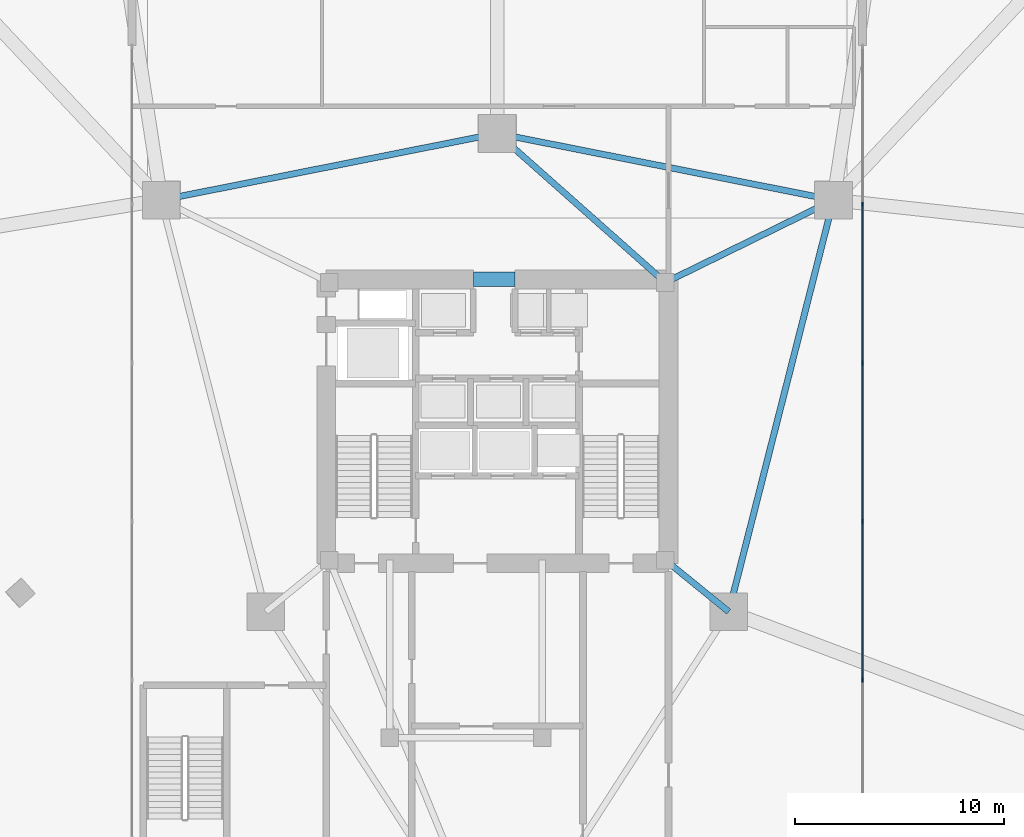
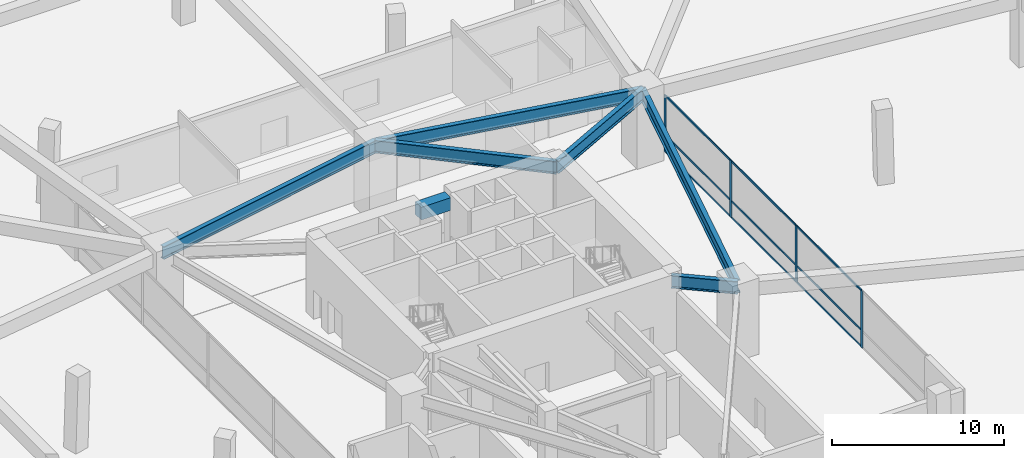
# One storey, part 7 of 19: 13 members, 7 beams, 1 element without a shape of its own.
"""IFC4 building model written with IfcOpenShell, lengths in metres."""

from ifc_helpers import new_model, si_unit, direction, frame, origin, origin_2d, place, context, subcontext, project, spatial, rectangle, i_section, extrude, material, layer, layer_set, material_profile, profile_set, type_object, element, aggregate, save


model = new_model("IFC4")

# Units and contexts
model_context = context("Model", 3, precision=1e-05, world=origin(), true_north=direction((0.0, 1.0)))
body_context = subcontext(model_context, "Body", "Model", "MODEL_VIEW")
ifc_project = project(units=[si_unit("LENGTHUNIT", "METRE"), si_unit("AREAUNIT", "SQUARE_METRE"), si_unit("VOLUMEUNIT", "CUBIC_METRE"), si_unit("PLANEANGLEUNIT", "RADIAN"), si_unit("MASSUNIT", "GRAM", prefix="KILO")], contexts=[model_context])

# Site, building, storey
site_placement = place(None, origin())
site = spatial("IfcSite", under=ifc_project, at=site_placement, CompositionType="ELEMENT")
building_placement = place(site_placement, origin())
building = spatial("IfcBuilding", under=site, at=building_placement, Name="Talyreon Biosciences Tower", CompositionType="ELEMENT")
storey_placement = place(building_placement, origin())
storey = spatial("IfcBuildingStorey", under=building, at=storey_placement, Name="L00", CompositionType="ELEMENT", Elevation=0.0)

# Curtain wall, members
ifc_material_1 = material(Name="Thermally broken aluminium and low-E glazing", Category="aluminium")
ifc_layer = layer(ifc_material_1, 0.219970703125)
ifc_layer_set = layer_set([ifc_layer], Name="Thermally broken aluminium and low-E glazing")
curtain_wall_type = type_object("IfcCurtainWallType", Name="CurtainWall_PodiumDoubleHeight", PredefinedType="NOTDEFINED", material=ifc_layer_set)
curtain_wall_placement = place(storey_placement, origin())
curtain_wall = element("IfcCurtainWall", 1, at=curtain_wall_placement, inside=storey, type_object=curtain_wall_type, Name="L00 Unitised Curtain Wall FCW-L00-E", PredefinedType="NOTDEFINED")
ifc_material_2 = material(Name="Anodised thermally broken aluminium", Category="aluminium")
ifc_material_profile_1 = material_profile(ifc_material_2, rectangle(XDim=0.074951171875, YDim=0.2099609375, at=origin_2d()), Name="ALUM MULLION 75x210")
ifc_profile_set_1 = profile_set([ifc_material_profile_1], Name="Anodised thermally broken aluminium")
member_type_1 = type_object("IfcMemberType", Name="CWMullion_75x210", PredefinedType="MULLION", material=ifc_profile_set_1)
member_1_placement = place(storey_placement, frame((83.5, 78.39990234375, 0.0), z_axis=(0.0, 0.0, 1.0), x_axis=(1.0, 0.0, 0.0)))
member_1 = element("IfcMember", 2, at=member_1_placement, type_object=member_type_1, Name="CW1 mullion 2", PredefinedType="MULLION", context=body_context, shape_type="SweptSolid", body=[
    extrude(rectangle(XDim=0.074951171875, YDim=0.2099609375, at=origin_2d()), origin(), (0.0, 0.0, 1.0), 4.030029296875),
])
member_2_placement = place(storey_placement, frame((83.5, 70.800048828125, 0.0), z_axis=(0.0, 0.0, 1.0), x_axis=(1.0, 0.0, 0.0)))
member_2 = element("IfcMember", 3, at=member_2_placement, type_object=member_type_1, Name="CW1 mullion 3", PredefinedType="MULLION", context=body_context, shape_type="SweptSolid", body=[
    extrude(rectangle(XDim=0.074951171875, YDim=0.2099609375, at=origin_2d()), origin(), (0.0, 0.0, 1.0), 4.030029296875),
])
member_3_placement = place(storey_placement, frame((83.5, 63.199951171875, 0.0), z_axis=(0.0, 0.0, 1.0), x_axis=(1.0, 0.0, 0.0)))
member_3 = element("IfcMember", 4, at=member_3_placement, type_object=member_type_1, Name="CW1 mullion 4", PredefinedType="MULLION", context=body_context, shape_type="SweptSolid", body=[
    extrude(rectangle(XDim=0.074951171875, YDim=0.2099609375, at=origin_2d()), origin(), (0.0, 0.0, 1.0), 4.030029296875),
])
member_4_placement = place(storey_placement, frame((83.5, 55.60009765625, 0.0), z_axis=(0.0, 0.0, 1.0), x_axis=(1.0, 0.0, 0.0)))
member_4 = element("IfcMember", 5, at=member_4_placement, type_object=member_type_1, Name="CW1 mullion 5", PredefinedType="MULLION", context=body_context, shape_type="SweptSolid", body=[
    extrude(rectangle(XDim=0.074951171875, YDim=0.2099609375, at=origin_2d()), origin(), (0.0, 0.0, 1.0), 4.030029296875),
])
ifc_material_profile_2 = material_profile(ifc_material_2, rectangle(XDim=0.06494140625, YDim=0.139892578125, at=origin_2d()), Name="ALUM TRANSOM 65x140")
ifc_profile_set_2 = profile_set([ifc_material_profile_2], Name="Anodised thermally broken aluminium")
member_type_2 = type_object("IfcMemberType", Name="CWTransom_65x140", PredefinedType="USERDEFINED", material=ifc_profile_set_2)
member_5_placement = place(storey_placement, frame((83.5, 78.362548828125, 0.032470703125), z_axis=(0.0, -1.0, 0.0), x_axis=(1.0, 0.0, 0.0)))
member_5 = element("IfcMember", 6, at=member_5_placement, type_object=member_type_2, Name="CW1 transom 2.1", ObjectType="TRANSOM", PredefinedType="USERDEFINED", context=body_context, shape_type="SweptSolid", body=[
    extrude(rectangle(XDim=0.06494140625, YDim=0.139892578125, at=origin_2d()), origin(), (0.0, 0.0, 1.0), 7.525146484375),
])
member_6_placement = place(storey_placement, frame((83.5, 78.362548828125, 1.199951171875), z_axis=(0.0, -1.0, 0.0), x_axis=(1.0, 0.0, 0.0)))
member_6 = element("IfcMember", 7, at=member_6_placement, type_object=member_type_2, Name="CW1 transom 2.2", ObjectType="TRANSOM", PredefinedType="USERDEFINED", context=body_context, shape_type="SweptSolid", body=[
    extrude(rectangle(XDim=0.06494140625, YDim=0.139892578125, at=origin_2d()), origin(), (0.0, 0.0, 1.0), 7.525146484375),
])
member_7_placement = place(storey_placement, frame((83.5, 78.362548828125, 3.99755859375), z_axis=(0.0, -1.0, 0.0), x_axis=(1.0, 0.0, 0.0)))
member_7 = element("IfcMember", 8, at=member_7_placement, type_object=member_type_2, Name="CW1 transom 2.3", ObjectType="TRANSOM", PredefinedType="USERDEFINED", context=body_context, shape_type="SweptSolid", body=[
    extrude(rectangle(XDim=0.06494140625, YDim=0.139892578125, at=origin_2d()), origin(), (0.0, 0.0, 1.0), 7.525146484375),
])
member_8_placement = place(storey_placement, frame((83.5, 70.762451171875, 0.032470703125), z_axis=(0.0, -1.0, 0.0), x_axis=(1.0, 0.0, 0.0)))
member_8 = element("IfcMember", 9, at=member_8_placement, type_object=member_type_2, Name="CW1 transom 3.1", ObjectType="TRANSOM", PredefinedType="USERDEFINED", context=body_context, shape_type="SweptSolid", body=[
    extrude(rectangle(XDim=0.06494140625, YDim=0.139892578125, at=origin_2d()), origin(), (0.0, 0.0, 1.0), 7.52490234375),
])
member_9_placement = place(storey_placement, frame((83.5, 70.762451171875, 1.199951171875), z_axis=(0.0, -1.0, 0.0), x_axis=(1.0, 0.0, 0.0)))
member_9 = element("IfcMember", 10, at=member_9_placement, type_object=member_type_2, Name="CW1 transom 3.2", ObjectType="TRANSOM", PredefinedType="USERDEFINED", context=body_context, shape_type="SweptSolid", body=[
    extrude(rectangle(XDim=0.06494140625, YDim=0.139892578125, at=origin_2d()), origin(), (0.0, 0.0, 1.0), 7.52490234375),
])
member_10_placement = place(storey_placement, frame((83.5, 70.762451171875, 3.99755859375), z_axis=(0.0, -1.0, 0.0), x_axis=(1.0, 0.0, 0.0)))
member_10 = element("IfcMember", 11, at=member_10_placement, type_object=member_type_2, Name="CW1 transom 3.3", ObjectType="TRANSOM", PredefinedType="USERDEFINED", context=body_context, shape_type="SweptSolid", body=[
    extrude(rectangle(XDim=0.06494140625, YDim=0.139892578125, at=origin_2d()), origin(), (0.0, 0.0, 1.0), 7.52490234375),
])
member_11_placement = place(storey_placement, frame((83.5, 63.16259765625, 0.032470703125), z_axis=(0.0, -1.0, 0.0), x_axis=(1.0, 0.0, 0.0)))
member_11 = element("IfcMember", 12, at=member_11_placement, type_object=member_type_2, Name="CW1 transom 4.1", ObjectType="TRANSOM", PredefinedType="USERDEFINED", context=body_context, shape_type="SweptSolid", body=[
    extrude(rectangle(XDim=0.06494140625, YDim=0.139892578125, at=origin_2d()), origin(), (0.0, 0.0, 1.0), 7.525146484375),
])
member_12_placement = place(storey_placement, frame((83.5, 63.16259765625, 1.199951171875), z_axis=(0.0, -1.0, 0.0), x_axis=(1.0, 0.0, 0.0)))
member_12 = element("IfcMember", 13, at=member_12_placement, type_object=member_type_2, Name="CW1 transom 4.2", ObjectType="TRANSOM", PredefinedType="USERDEFINED", context=body_context, shape_type="SweptSolid", body=[
    extrude(rectangle(XDim=0.06494140625, YDim=0.139892578125, at=origin_2d()), origin(), (0.0, 0.0, 1.0), 7.525146484375),
])
member_13_placement = place(storey_placement, frame((83.5, 63.16259765625, 3.99755859375), z_axis=(0.0, -1.0, 0.0), x_axis=(1.0, 0.0, 0.0)))
member_13 = element("IfcMember", 14, at=member_13_placement, type_object=member_type_2, Name="CW1 transom 4.3", ObjectType="TRANSOM", PredefinedType="USERDEFINED", context=body_context, shape_type="SweptSolid", body=[
    extrude(rectangle(XDim=0.06494140625, YDim=0.139892578125, at=origin_2d()), origin(), (0.0, 0.0, 1.0), 7.525146484375),
])
aggregate(curtain_wall, [member_1, member_2, member_3, member_4, member_5, member_6, member_7, member_8, member_9, member_10, member_11, member_12, member_13])

# Beams
ifc_material_3 = material(Name="Concrete C60/75", Category="concrete")
ifc_material_profile_3 = material_profile(ifc_material_3, rectangle(XDim=0.699951171875, YDim=0.89990234375, at=origin_2d()), Name="RCB 700x900")
ifc_profile_set_3 = profile_set([ifc_material_profile_3], Name="Concrete C60/75")
beam_type_1 = type_object("IfcBeamType", Name="CoreCouplingLintel_700x900", PredefinedType="LINTEL", material=ifc_profile_set_3)
beam_1_placement = place(storey_placement, frame((64.85009765625, 74.800048828125, 4.550048828125), z_axis=(1.0, 0.0, 0.0), x_axis=(0.0, 1.0, 0.0)))
element("IfcBeam", 15, at=beam_1_placement, inside=storey, type_object=beam_type_1, Name="L00 Core Coupling Lintel", PredefinedType="LINTEL", context=body_context, shape_type="SweptSolid", body=[
    extrude(rectangle(XDim=0.699951171875, YDim=0.89990234375, at=origin_2d()), origin(), (0.0, 0.0, 1.0), 2.0),
])
ifc_material_4 = material(Name="Steel SM420", Category="steel")
ifc_material_profile_4 = material_profile(ifc_material_4, i_section(OverallWidth=0.300048828125, OverallDepth=0.89990234375, WebThickness=0.0185546875, FlangeThickness=0.034912109375, FilletRadius=0.030029296875, at=origin_2d()), Name="HE900B")
ifc_profile_set_4 = profile_set([ifc_material_profile_4], Name="Steel SM420")
beam_type_2 = type_object("IfcBeamType", Name="SteelGirder_HE900B", PredefinedType="BEAM", material=ifc_profile_set_4)
beam_2_placement = place(storey_placement, frame((77.086181640625, 58.88037109375, 4.550048828125), z_axis=(0.246537082299, 0.969133358755, 0.0), x_axis=(-0.969133358755, 0.246537082299, 0.0)))
element("IfcBeam", 16, at=beam_2_placement, inside=storey, type_object=beam_type_2, Name="L00 Mega-Ring Girder 2", PredefinedType="BEAM", context=body_context, shape_type="SweptSolid", body=[
    extrude(i_section(OverallWidth=0.300048828125, OverallDepth=0.89990234375, WebThickness=0.0185546875, FlangeThickness=0.034912109375, FilletRadius=0.030029296875, at=origin_2d()), origin(), (0.0, 0.0, 1.0), 20.34619140625),
])
for number, where, z_axis, x_axis, name in (
    (17, (82.102294921875, 78.5986328125, 4.550048828125), (-0.980933730698, 0.194342522311, 0.0), (-0.194342522311, -0.980933730698, 0.0), "L00 Mega-Ring Girder 3"),
    (18, (66.0, 81.788818359375, 4.550048828125), (-0.980933730698, -0.194342522311, 0.0), (0.194342522311, -0.980933730698, 0.0), "L00 Mega-Ring Girder 4"),
):
    element("IfcBeam", number, at=place(storey_placement, frame(where, z_axis=z_axis, x_axis=x_axis)), inside=storey, type_object=beam_type_2, Name=name, PredefinedType="BEAM", context=body_context, shape_type="SweptSolid", body=[
        extrude(i_section(OverallWidth=0.300048828125, OverallDepth=0.89990234375, WebThickness=0.0185546875, FlangeThickness=0.034912109375, FilletRadius=0.030029296875, at=origin_2d()), origin(), (0.0, 0.0, 1.0), 16.415283203125),
    ])
beam_3_placement = place(storey_placement, frame((74.050048828125, 61.35009765625, 4.550048828125), z_axis=(0.775755154013, -0.631034025249, 0.0), x_axis=(0.631034025249, 0.775755154013, 0.0)))
element("IfcBeam", 19, at=beam_3_placement, inside=storey, type_object=beam_type_2, Name="L00 Radial Primary Girder 2", PredefinedType="BEAM", context=body_context, shape_type="SweptSolid", body=[
    extrude(i_section(OverallWidth=0.300048828125, OverallDepth=0.89990234375, WebThickness=0.0185546875, FlangeThickness=0.034912109375, FilletRadius=0.030029296875, at=origin_2d()), origin(), (0.0, 0.0, 1.0), 3.913818359375),
])
beam_4_placement = place(storey_placement, frame((74.050048828125, 74.64990234375, 4.550048828125), z_axis=(0.897852360314, 0.440296648952, 0.0), x_axis=(-0.440296648952, 0.897852360314, 0.0)))
element("IfcBeam", 20, at=beam_4_placement, inside=storey, type_object=beam_type_2, Name="L00 Radial Primary Girder 3", PredefinedType="BEAM", context=body_context, shape_type="SweptSolid", body=[
    extrude(i_section(OverallWidth=0.300048828125, OverallDepth=0.89990234375, WebThickness=0.0185546875, FlangeThickness=0.034912109375, FilletRadius=0.030029296875, at=origin_2d()), origin(), (0.0, 0.0, 1.0), 8.96826171875),
])
beam_5_placement = place(storey_placement, frame((74.050048828125, 74.64990234375, 4.550048828125), z_axis=(-0.748178733955, 0.663497235908, 0.0), x_axis=(-0.663497235908, -0.748178733955, 0.0)))
element("IfcBeam", 21, at=beam_5_placement, inside=storey, type_object=beam_type_2, Name="L00 Radial Primary Girder 4", PredefinedType="BEAM", context=body_context, shape_type="SweptSolid", body=[
    extrude(i_section(OverallWidth=0.300048828125, OverallDepth=0.89990234375, WebThickness=0.0185546875, FlangeThickness=0.034912109375, FilletRadius=0.030029296875, at=origin_2d()), origin(), (0.0, 0.0, 1.0), 10.759521484375),
])

save(model, "model.ifc")
